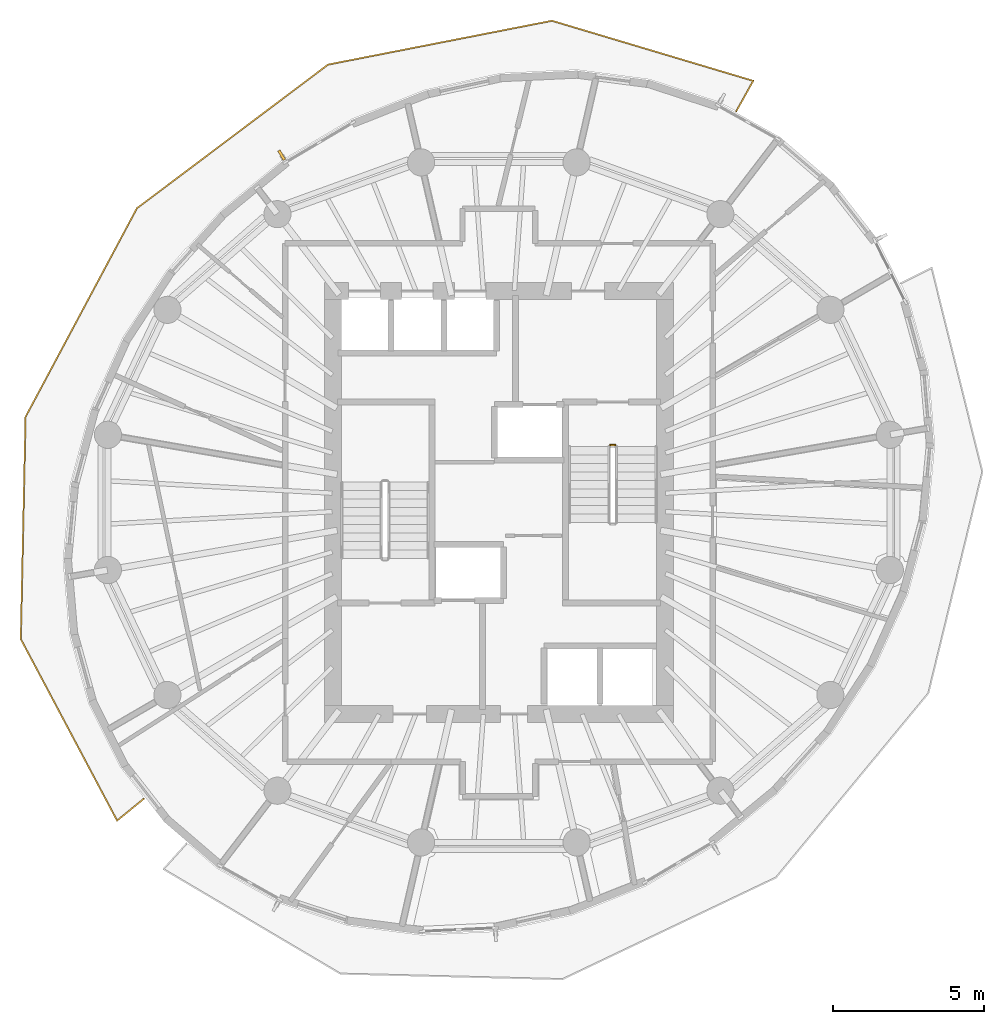
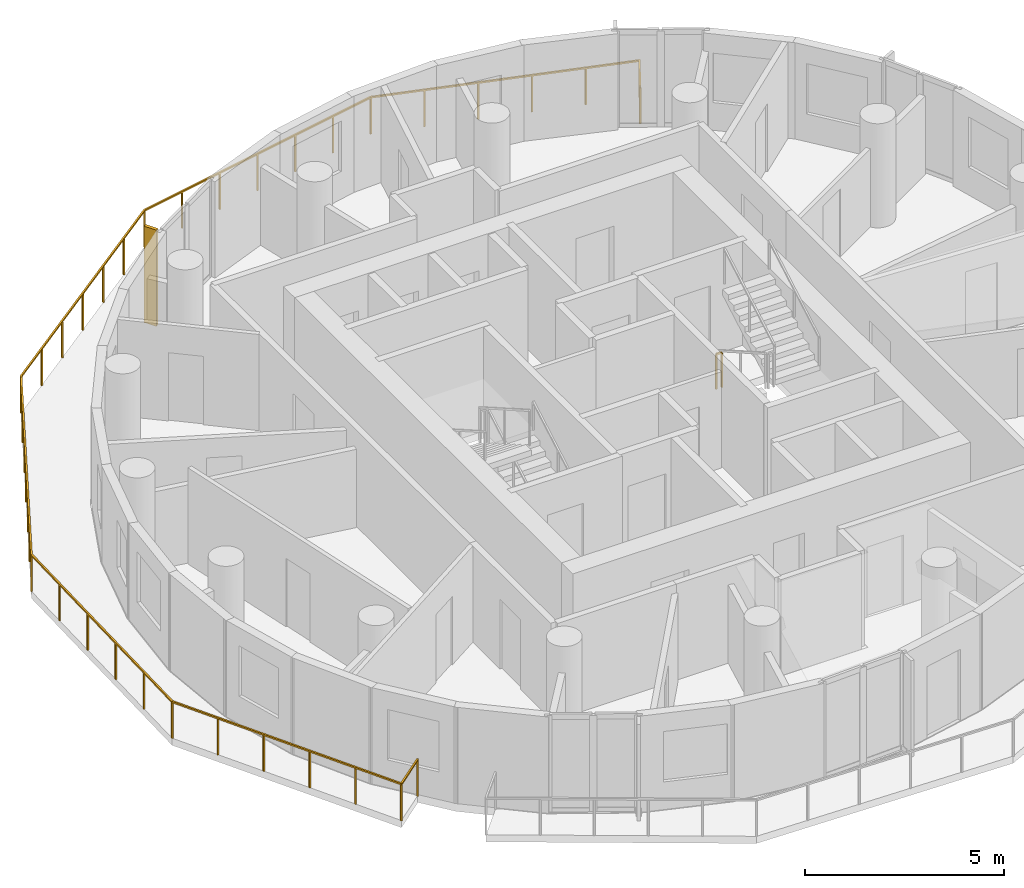
# One storey, part 9 of 10: 2 railings, 1 shading device.
"""IFC4 building model written with IfcOpenShell, lengths in metres."""

from ifc_helpers import new_model, si_unit, direction, frame, origin, origin_2d, place, context, subcontext, project, spatial, rectangle, extrude, material, layer, layer_set, type_object, element, save


model = new_model("IFC4")

# Units and contexts
model_context = context("Model", 3, precision=1e-05, world=origin(), true_north=direction((0.0, 1.0)))
body_context = subcontext(model_context, "Body", "Model", "MODEL_VIEW")
ifc_project = project(units=[si_unit("LENGTHUNIT", "METRE"), si_unit("AREAUNIT", "SQUARE_METRE"), si_unit("VOLUMEUNIT", "CUBIC_METRE"), si_unit("PLANEANGLEUNIT", "RADIAN"), si_unit("MASSUNIT", "GRAM", prefix="KILO")], contexts=[model_context])

# Site, building, storey
site_placement = place(None, origin())
site = spatial("IfcSite", under=ifc_project, at=site_placement, CompositionType="ELEMENT")
building_placement = place(site_placement, origin())
building = spatial("IfcBuilding", under=site, at=building_placement, Name="Veldorim Arch Residences", CompositionType="ELEMENT")
storey_placement = place(building_placement, frame((0.0, 0.0, 175.840087890625)))
storey = spatial("IfcBuildingStorey", under=building, at=storey_placement, Name="L52", CompositionType="ELEMENT", Elevation=175.840087890625)

# Railings
ifc_material_1 = material(Name="Aluminium", Category="aluminium")
railing_type_1 = type_object("IfcRailingType", Name="Balcony & Terrace Laminated Glass Balustrade 1150", PredefinedType="BALUSTRADE", material=ifc_material_1)
railing_1_placement = place(storey_placement, frame((39.86279296875, 36.956298828125, 0.0)))
element("IfcRailing", 1, at=railing_1_placement, inside=storey, type_object=railing_type_1, Name="L52 crescent balcony safety balustrade A", PredefinedType="BALUSTRADE", context=body_context, shape_type="SweptSolid", body=[
    extrude(rectangle(XDim=0.048095703125, YDim=0.048095703125, at=origin_2d()), frame((0.0, 0.0, 1.1259765625), z_axis=(0.486760012857, 0.873535740473, 0.0), x_axis=(-0.873535740473, 0.486760012857, 0.0)), (0.0, 0.0, 1.0), 1.150146484375),
    extrude(rectangle(XDim=0.048095703125, YDim=0.048095703125, at=origin_2d()), frame((0.559814453125, 1.004638671875, 1.1259765625), z_axis=(-0.958210829576, 0.286062940771, 0.0), x_axis=(-0.286062940771, -0.958210829576, 0.0)), (0.0, 0.0, 1.0), 6.95654296875),
    extrude(rectangle(XDim=0.048095703125, YDim=0.048095703125, at=origin_2d()), frame((-6.10595703125, 2.99462890625, 1.1259765625), z_axis=(-0.981368025405, -0.19213744745, 0.0), x_axis=(0.19213744745, -0.981368025405, 0.0)), (0.0, 0.0, 1.0), 7.555419921875),
    extrude(rectangle(XDim=0.048095703125, YDim=0.048095703125, at=origin_2d()), frame((-13.5205078125, 1.54296875, 1.1259765625), z_axis=(-0.799348408973, -0.600867806653, 0.0), x_axis=(0.600867806653, -0.799348408973, 0.0)), (0.0, 0.0, 1.0), 7.9189453125),
    extrude(rectangle(XDim=0.048095703125, YDim=0.048095703125, at=origin_2d()), frame((-19.8505859375, -3.21533203125, 1.1259765625), z_axis=(-0.470945780891, -0.882162157123, 0.0), x_axis=(0.882162157123, -0.470945780891, 0.0)), (0.0, 0.0, 1.0), 7.83154296875),
    extrude(rectangle(XDim=0.048095703125, YDim=0.048095703125, at=origin_2d()), frame((-23.538818359375, -10.1240234375, 1.1259765625), z_axis=(-0.02140446209, -0.999770898258, 0.0), x_axis=(0.999770898258, -0.02140446209, 0.0)), (0.0, 0.0, 1.0), 7.35693359375),
    extrude(rectangle(XDim=0.048095703125, YDim=0.048095703125, at=origin_2d()), frame((-23.6962890625, -17.479248046875, 1.1259765625), z_axis=(0.468597608375, -0.883411728146, 0.0), x_axis=(0.883411728146, 0.468597608375, 0.0)), (0.0, 0.0, 1.0), 6.80908203125),
    extrude(rectangle(XDim=0.048095703125, YDim=0.048095703125, at=origin_2d()), frame((-20.505615234375, -23.494384765625, 1.1259765625), z_axis=(0.774070797365, 0.63309904491, 0.0), x_axis=(-0.63309904491, 0.774070797365, 0.0)), (0.0, 0.0, 1.0), 1.14990234375),
    extrude(rectangle(XDim=0.0419921875, YDim=0.0419921875, at=origin_2d()), origin(), (0.0, 0.0, 1.0), 1.101806640625),
    extrude(rectangle(XDim=0.0419921875, YDim=0.0419921875, at=origin_2d()), frame((0.559814453125, 1.004638671875, 0.0)), (0.0, 0.0, 1.0), 1.101806640625),
    extrude(rectangle(XDim=0.0419921875, YDim=0.0419921875, at=origin_2d()), frame((-0.7734375, 1.402587890625, 0.0)), (0.0, 0.0, 1.0), 1.101806640625),
    extrude(rectangle(XDim=0.0419921875, YDim=0.0419921875, at=origin_2d()), frame((-2.1064453125, 1.800537109375, 0.0)), (0.0, 0.0, 1.0), 1.101806640625),
    extrude(rectangle(XDim=0.0419921875, YDim=0.0419921875, at=origin_2d()), frame((-3.439697265625, 2.19873046875, 0.0)), (0.0, 0.0, 1.0), 1.101806640625),
    extrude(rectangle(XDim=0.0419921875, YDim=0.0419921875, at=origin_2d()), frame((-4.772705078125, 2.5966796875, 0.0)), (0.0, 0.0, 1.0), 1.101806640625),
    extrude(rectangle(XDim=0.0419921875, YDim=0.0419921875, at=origin_2d()), frame((-6.10595703125, 2.99462890625, 0.0)), (0.0, 0.0, 1.0), 1.101806640625),
    extrude(rectangle(XDim=0.0419921875, YDim=0.0419921875, at=origin_2d()), frame((-7.341796875, 2.752685546875, 0.0)), (0.0, 0.0, 1.0), 1.101806640625),
    extrude(rectangle(XDim=0.0419921875, YDim=0.0419921875, at=origin_2d()), frame((-8.577392578125, 2.5107421875, 0.0)), (0.0, 0.0, 1.0), 1.101806640625),
    extrude(rectangle(XDim=0.0419921875, YDim=0.0419921875, at=origin_2d()), frame((-9.813232421875, 2.268798828125, 0.0)), (0.0, 0.0, 1.0), 1.101806640625),
    extrude(rectangle(XDim=0.0419921875, YDim=0.0419921875, at=origin_2d()), frame((-11.049072265625, 2.02685546875, 0.0)), (0.0, 0.0, 1.0), 1.101806640625),
    extrude(rectangle(XDim=0.0419921875, YDim=0.0419921875, at=origin_2d()), frame((-12.28466796875, 1.784912109375, 0.0)), (0.0, 0.0, 1.0), 1.101806640625),
    extrude(rectangle(XDim=0.0419921875, YDim=0.0419921875, at=origin_2d()), frame((-13.5205078125, 1.54296875, 0.0)), (0.0, 0.0, 1.0), 1.101806640625),
    extrude(rectangle(XDim=0.0419921875, YDim=0.0419921875, at=origin_2d()), frame((-14.575439453125, 0.75, 0.0)), (0.0, 0.0, 1.0), 1.101806640625),
    extrude(rectangle(XDim=0.0419921875, YDim=0.0419921875, at=origin_2d()), frame((-15.630615234375, -0.043212890625, 0.0)), (0.0, 0.0, 1.0), 1.101806640625),
    extrude(rectangle(XDim=0.0419921875, YDim=0.0419921875, at=origin_2d()), frame((-16.685546875, -0.836181640625, 0.0)), (0.0, 0.0, 1.0), 1.101806640625),
    extrude(rectangle(XDim=0.0419921875, YDim=0.0419921875, at=origin_2d()), frame((-17.740478515625, -1.629150390625, 0.0)), (0.0, 0.0, 1.0), 1.101806640625),
    extrude(rectangle(XDim=0.0419921875, YDim=0.0419921875, at=origin_2d()), frame((-18.795654296875, -2.42236328125, 0.0)), (0.0, 0.0, 1.0), 1.101806640625),
    extrude(rectangle(XDim=0.0419921875, YDim=0.0419921875, at=origin_2d()), frame((-19.8505859375, -3.21533203125, 0.0)), (0.0, 0.0, 1.0), 1.101806640625),
    extrude(rectangle(XDim=0.0419921875, YDim=0.0419921875, at=origin_2d()), frame((-20.46533203125, -4.36669921875, 0.0)), (0.0, 0.0, 1.0), 1.101806640625),
    extrude(rectangle(XDim=0.0419921875, YDim=0.0419921875, at=origin_2d()), frame((-21.080078125, -5.518310546875, 0.0)), (0.0, 0.0, 1.0), 1.101806640625),
    extrude(rectangle(XDim=0.0419921875, YDim=0.0419921875, at=origin_2d()), frame((-21.69482421875, -6.669677734375, 0.0)), (0.0, 0.0, 1.0), 1.101806640625),
    extrude(rectangle(XDim=0.0419921875, YDim=0.0419921875, at=origin_2d()), frame((-22.309326171875, -7.821044921875, 0.0)), (0.0, 0.0, 1.0), 1.101806640625),
    extrude(rectangle(XDim=0.0419921875, YDim=0.0419921875, at=origin_2d()), frame((-22.924072265625, -8.97265625, 0.0)), (0.0, 0.0, 1.0), 1.101806640625),
    extrude(rectangle(XDim=0.0419921875, YDim=0.0419921875, at=origin_2d()), frame((-23.538818359375, -10.1240234375, 0.0)), (0.0, 0.0, 1.0), 1.101806640625),
    extrude(rectangle(XDim=0.0419921875, YDim=0.0419921875, at=origin_2d()), frame((-23.5703125, -11.594970703125, 0.0)), (0.0, 0.0, 1.0), 1.101806640625),
    extrude(rectangle(XDim=0.0419921875, YDim=0.0419921875, at=origin_2d()), frame((-23.601806640625, -13.066162109375, 0.0)), (0.0, 0.0, 1.0), 1.101806640625),
    extrude(rectangle(XDim=0.0419921875, YDim=0.0419921875, at=origin_2d()), frame((-23.63330078125, -14.537109375, 0.0)), (0.0, 0.0, 1.0), 1.101806640625),
    extrude(rectangle(XDim=0.0419921875, YDim=0.0419921875, at=origin_2d()), frame((-23.664794921875, -16.00830078125, 0.0)), (0.0, 0.0, 1.0), 1.101806640625),
    extrude(rectangle(XDim=0.0419921875, YDim=0.0419921875, at=origin_2d()), frame((-23.6962890625, -17.479248046875, 0.0)), (0.0, 0.0, 1.0), 1.101806640625),
    extrude(rectangle(XDim=0.0419921875, YDim=0.0419921875, at=origin_2d()), frame((-23.05810546875, -18.682373046875, 0.0)), (0.0, 0.0, 1.0), 1.101806640625),
    extrude(rectangle(XDim=0.0419921875, YDim=0.0419921875, at=origin_2d()), frame((-22.419921875, -19.88525390625, 0.0)), (0.0, 0.0, 1.0), 1.101806640625),
    extrude(rectangle(XDim=0.0419921875, YDim=0.0419921875, at=origin_2d()), frame((-21.781982421875, -21.08837890625, 0.0)), (0.0, 0.0, 1.0), 1.101806640625),
    extrude(rectangle(XDim=0.0419921875, YDim=0.0419921875, at=origin_2d()), frame((-21.143798828125, -22.291259765625, 0.0)), (0.0, 0.0, 1.0), 1.101806640625),
    extrude(rectangle(XDim=0.0419921875, YDim=0.0419921875, at=origin_2d()), frame((-20.505615234375, -23.494384765625, 0.0)), (0.0, 0.0, 1.0), 1.101806640625),
    extrude(rectangle(XDim=0.0419921875, YDim=0.0419921875, at=origin_2d()), frame((-19.615478515625, -22.766357421875, 0.0)), (0.0, 0.0, 1.0), 1.101806640625),
])
ifc_material_2 = material(Name="Steel S355", Category="steel")
railing_type_2 = type_object("IfcRailingType", Name="Galvanised Steel Stair Safety Guardrail 1100", PredefinedType="GUARDRAIL", material=ifc_material_2)
railing_2_placement = place(storey_placement, frame((35.68994140625, 25.89990234375, 0.0)))
element("IfcRailing", 2, at=railing_2_placement, inside=storey, type_object=railing_type_2, Name="L52 ST-2 stair guard 4", PredefinedType="GUARDRAIL", context=body_context, shape_type="SweptSolid", body=[
    extrude(rectangle(XDim=0.048095703125, YDim=0.048095703125, at=origin_2d()), frame((0.0, 0.0, 1.076171875), z_axis=(1.0, 0.0, 0.0), x_axis=(0.0, 1.0, 0.0)), (0.0, 0.0, 1.0), 0.16015625),
    extrude(rectangle(XDim=0.0419921875, YDim=0.0419921875, at=origin_2d()), origin(), (0.0, 0.0, 1.0), 1.052001953125),
    extrude(rectangle(XDim=0.0419921875, YDim=0.0419921875, at=origin_2d()), frame((0.16015625, 0.0, 0.0)), (0.0, 0.0, 1.0), 1.052001953125),
])

# Shading device
ifc_material_3 = material(Name="Terracotta Ceramic", Category="masonry")
ifc_layer = layer(ifc_material_3, 0.090087890625, Name="Vertical Extruded Terracotta Baguette Sun-Shading Fin")
ifc_layer_set = layer_set([ifc_layer], Name="Terracotta Ceramic")
shading_device_type = type_object("IfcShadingDeviceType", Name="Vertical Extruded Terracotta Baguette Sun-Shading Fin", PredefinedType="USERDEFINED", material=ifc_layer_set)
shading_device_placement = place(storey_placement, frame((24.803955078125, 35.500244140625, 0.0), z_axis=(0.0, 0.0, 1.0), x_axis=(0.861097195167, 0.508440380454, 0.0)))
element("IfcShadingDevice", 3, at=shading_device_placement, inside=storey, type_object=shading_device_type, Name="L52 vertical terracotta sun-shading fin 08", ObjectType="FIN", PredefinedType="USERDEFINED", context=body_context, shape_type="SweptSolid", body=[
    extrude(rectangle(XDim=0.090087890625, YDim=0.360107421875, at=origin_2d()), origin(), (0.0, 0.0, 1.0), 2.9599609375),
])

save(model, "model.ifc")
